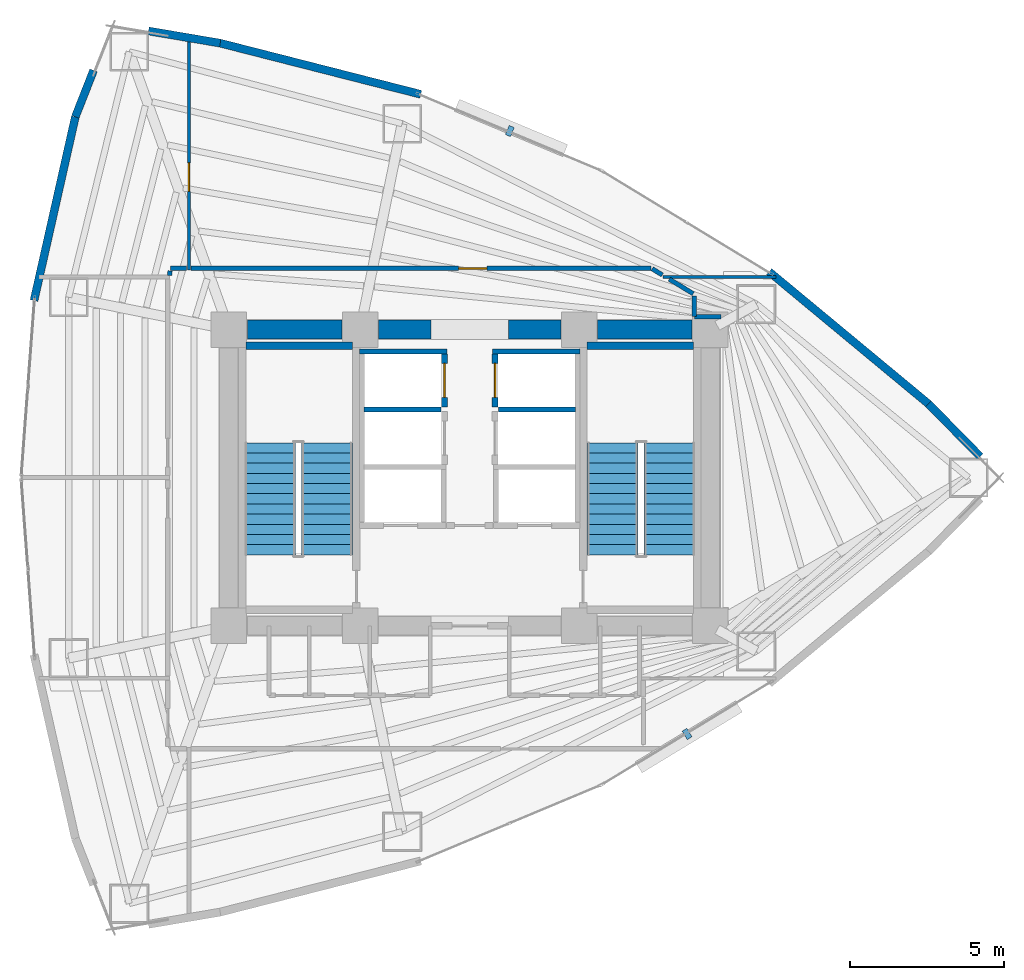
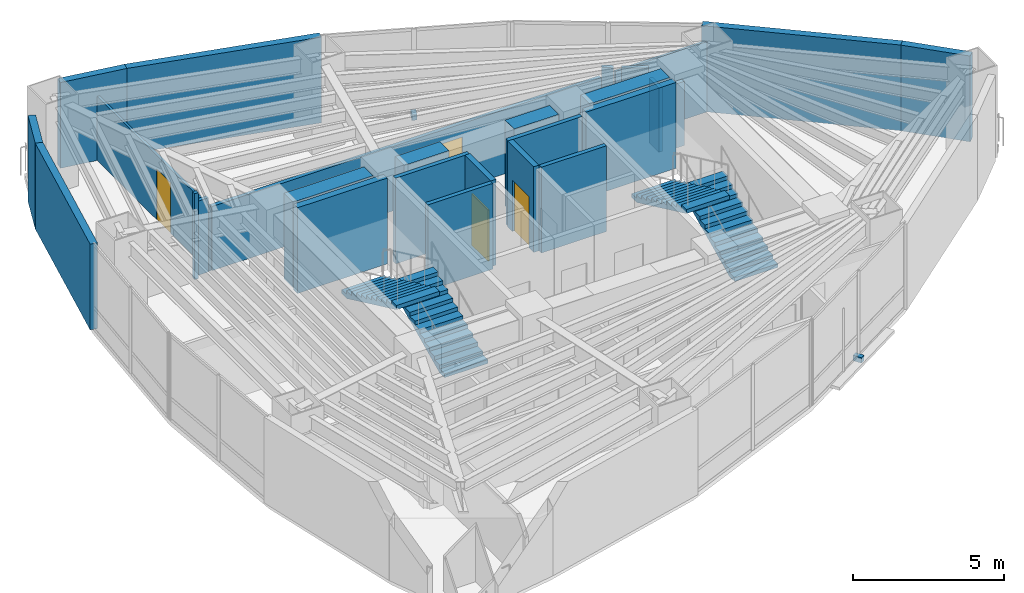
# One storey, part 14 of 16: 27 walls, 4 doors, 4 stair flights, 2 discrete accessories, 4 openings, 2 elements without a shape of their own.
"""IFC4 building model written with IfcOpenShell, lengths in metres."""

from ifc_helpers import new_model, si_unit, direction, frame, frame_2d, origin, origin_2d, place, context, subcontext, project, spatial, polyline, rectangle, outline, extrude, material, layer, layer_set, type_object, element, fill, aggregate, save


model = new_model("IFC4")

# Units and contexts
model_context = context("Model", 3, precision=1e-05, world=origin(), true_north=direction((0.0, 1.0)))
body_context = subcontext(model_context, "Body", "Model", "MODEL_VIEW")
ifc_project = project(units=[si_unit("LENGTHUNIT", "METRE"), si_unit("AREAUNIT", "SQUARE_METRE"), si_unit("VOLUMEUNIT", "CUBIC_METRE"), si_unit("PLANEANGLEUNIT", "RADIAN"), si_unit("MASSUNIT", "GRAM", prefix="KILO")], contexts=[model_context])

# Site, building, storey
site_placement = place(None, origin())
site = spatial("IfcSite", under=ifc_project, at=site_placement, CompositionType="ELEMENT")
building_placement = place(site_placement, origin())
building = spatial("IfcBuilding", under=site, at=building_placement, Name="Menara Vayukalpa", CompositionType="ELEMENT")
storey_placement = place(building_placement, frame((0.0, 0.0, 75.9599609375)))
storey = spatial("IfcBuildingStorey", under=building, at=storey_placement, Name="L18", CompositionType="ELEMENT", Elevation=75.9599609375)

# Walls
ifc_material_1 = material(Name="Concrete C70/85", Category="concrete")
ifc_layer_1 = layer(ifc_material_1, 0.60009765625)
ifc_layer_set_1 = layer_set([ifc_layer_1], Name="Concrete C70/85")
wall_type_1 = type_object("IfcWallType", Name="WAL-CW600", PredefinedType="SHEAR", material=ifc_layer_set_1)
wall_1_placement = place(storey_placement, frame((18.39501953125, 26.800048828125, 0.0), z_axis=(0.0, 0.0, 1.0), x_axis=(1.0, 0.0, 0.0)))
element("IfcWall", 1, at=wall_1_placement, inside=storey, type_object=wall_type_1, Name="L18 Buttressed Core Shear Wall CWN1", PredefinedType="SHEAR", context=body_context, shape_type="SweptSolid", body=[
    extrude(rectangle(XDim=3.06005859375, YDim=0.60009765625, at=frame_2d((1.530029296875, 0.0))), origin(), (0.0, 0.0, 1.0), 3.469970703125),
])
wall_2_placement = place(storey_placement, frame((22.64501953125, 26.800048828125, 0.0), z_axis=(0.0, 0.0, 1.0), x_axis=(1.0, 0.0, 0.0)))
element("IfcWall", 2, at=wall_2_placement, inside=storey, type_object=wall_type_1, Name="L18 Buttressed Core Shear Wall CWN2", PredefinedType="SHEAR", context=body_context, shape_type="SweptSolid", body=[
    extrude(rectangle(XDim=1.705078125, YDim=0.60009765625, at=frame_2d((0.8525390625, 0.0))), origin(), (0.0, 0.0, 1.0), 3.469970703125),
])
wall_3_placement = place(storey_placement, frame((26.85009765625, 26.800048828125, 0.0), z_axis=(0.0, 0.0, 1.0), x_axis=(1.0, 0.0, 0.0)))
element("IfcWall", 3, at=wall_3_placement, inside=storey, type_object=wall_type_1, Name="L18 Buttressed Core Shear Wall CWN3", PredefinedType="SHEAR", context=body_context, shape_type="SweptSolid", body=[
    extrude(rectangle(XDim=1.704833984375, YDim=0.60009765625, at=frame_2d((0.8525390625, 0.0))), origin(), (0.0, 0.0, 1.0), 3.469970703125),
])
wall_4_placement = place(storey_placement, frame((29.7451171875, 26.800048828125, 0.0), z_axis=(0.0, 0.0, 1.0), x_axis=(1.0, 0.0, 0.0)))
element("IfcWall", 4, at=wall_4_placement, inside=storey, type_object=wall_type_1, Name="L18 Buttressed Core Shear Wall CWN4", PredefinedType="SHEAR", context=body_context, shape_type="SweptSolid", body=[
    extrude(rectangle(XDim=3.059814453125, YDim=0.60009765625, at=frame_2d((1.52978515625, 0.0))), origin(), (0.0, 0.0, 1.0), 3.469970703125),
])
ifc_material_2 = material(Name="Insulated Precast Concrete C40/50", Category="concrete")
ifc_layer_2 = layer(ifc_material_2, 0.260009765625)
ifc_layer_set_2 = layer_set([ifc_layer_2], Name="Insulated Precast Concrete C40/50")
wall_type_2 = type_object("IfcWallType", Name="WAL-EXT260", PredefinedType="PARTITIONING", material=ifc_layer_set_2)
wall_5_placement = place(storey_placement, frame((40.46337890625, 24.39208984375, 0.0), z_axis=(0.0, 0.0, 1.0), x_axis=(0.700603293449, -0.713550996922, 0.0)))
element("IfcWall", 5, at=wall_5_placement, inside=storey, type_object=wall_type_2, Name="L18 Perimeter Terracotta Pier Wall 02", PredefinedType="PARTITIONING", context=body_context, shape_type="SweptSolid", body=[
    extrude(rectangle(XDim=2.394775390625, YDim=0.260009765625, at=frame_2d((1.197265625, 0.0))), origin(), (0.0, 0.0, 1.0), 3.469970703125),
])
wall_6_placement = place(storey_placement, frame((35.30126953125, 28.672119140625, 0.0), z_axis=(0.0, 0.0, 1.0), x_axis=(0.76975316947, -0.638341646841, 0.0)))
element("IfcWall", 6, at=wall_6_placement, inside=storey, type_object=wall_type_2, Name="L18 Perimeter Terracotta Pier Wall 03", PredefinedType="PARTITIONING", context=body_context, shape_type="SweptSolid", body=[
    extrude(rectangle(XDim=6.718017578125, YDim=0.260009765625, at=frame_2d((3.35888671875, 0.0))), origin(), (0.0, 0.0, 1.0), 3.469970703125),
])
wall_7_placement = place(storey_placement, frame((17.504638671875, 36.08056640625, 0.0), z_axis=(0.0, 0.0, 1.0), x_axis=(0.968981437296, -0.247133514876, 0.0)))
element("IfcWall", 7, at=wall_7_placement, inside=storey, type_object=wall_type_2, Name="L18 Perimeter Terracotta Pier Wall 06", PredefinedType="PARTITIONING", context=body_context, shape_type="SweptSolid", body=[
    extrude(rectangle(XDim=6.717529296875, YDim=0.260009765625, at=frame_2d((3.35888671875, 0.0))), origin(), (0.0, 0.0, 1.0), 3.469970703125),
])
wall_8_placement = place(storey_placement, frame((15.19287109375, 36.472412109375, 0.0), z_axis=(0.0, 0.0, 1.0), x_axis=(0.985905269947, -0.167304508875, 0.0)))
element("IfcWall", 8, at=wall_8_placement, inside=storey, type_object=wall_type_2, Name="L18 Perimeter Terracotta Pier Wall 07", PredefinedType="PARTITIONING", context=body_context, shape_type="SweptSolid", body=[
    extrude(rectangle(XDim=2.356689453125, YDim=0.260009765625, at=frame_2d((1.17822265625, 0.0))), origin(), (0.0, 0.0, 1.0), 3.469970703125),
])
wall_9_placement = place(storey_placement, frame((12.822021484375, 33.69140625, 0.0), z_axis=(0.0, 0.0, 1.0), x_axis=(0.365488551504, 0.930815835018, 0.0)))
element("IfcWall", 9, at=wall_9_placement, inside=storey, type_object=wall_type_2, Name="L18 Perimeter Terracotta Pier Wall 08", PredefinedType="PARTITIONING", context=body_context, shape_type="SweptSolid", body=[
    extrude(rectangle(XDim=1.61376953125, YDim=0.260009765625, at=frame_2d((0.806884765625, 0.0))), origin(), (0.0, 0.0, 1.0), 3.469970703125),
])
wall_10_placement = place(storey_placement, frame((11.482421875, 27.73828125, 0.0), z_axis=(0.0, 0.0, 1.0), x_axis=(0.219535044336, 0.975604614743, 0.0)))
element("IfcWall", 10, at=wall_10_placement, inside=storey, type_object=wall_type_2, Name="L18 Perimeter Terracotta Pier Wall 09", PredefinedType="PARTITIONING", context=body_context, shape_type="SweptSolid", body=[
    extrude(rectangle(XDim=6.10205078125, YDim=0.260009765625, at=frame_2d((3.051025390625, 0.0))), origin(), (0.0, 0.0, 1.0), 3.469970703125),
])
ifc_material_3 = material(Name="Lightweight Concrete Blockwork C16/20", Category="masonry")
ifc_layer_3 = layer(ifc_material_3, 0.159912109375)
ifc_layer_set_3 = layer_set([ifc_layer_3], Name="Lightweight Concrete Blockwork C16/20")
wall_type_3 = type_object("IfcWallType", Name="WAL-FR150", PredefinedType="PARTITIONING", material=ifc_layer_set_3)
wall_11_placement = place(storey_placement, frame((22.179931640625, 24.215087890625, 0.0), z_axis=(0.0, 0.0, 1.0), x_axis=(1.0, 0.0, 0.0)))
element("IfcWall", 11, at=wall_11_placement, inside=storey, type_object=wall_type_3, Name="L18 Interior Partition IW-L18-SHM-W23", PredefinedType="PARTITIONING", context=body_context, shape_type="SweptSolid", body=[
    extrude(rectangle(XDim=2.489990234375, YDim=0.159912109375, at=frame_2d((1.2451171875, 0.0))), origin(), (0.0, 0.0, 1.0), 3.469970703125),
])
wall_12_placement = place(storey_placement, frame((22.030029296875, 26.0849609375, 0.0), z_axis=(0.0, 0.0, 1.0), x_axis=(1.0, 0.0, 0.0)))
element("IfcWall", 12, at=wall_12_placement, inside=storey, type_object=wall_type_3, Name="L18 Interior Partition IW-L18-SHM-W3N", PredefinedType="PARTITIONING", context=body_context, shape_type="SweptSolid", body=[
    extrude(rectangle(XDim=2.830078125, YDim=0.159912109375, at=frame_2d((1.4150390625, 0.0))), origin(), (0.0, 0.0, 1.0), 3.469970703125),
])
wall_13_placement = place(storey_placement, frame((26.530029296875, 24.215087890625, 0.0), z_axis=(0.0, 0.0, 1.0), x_axis=(1.0, 0.0, 0.0)))
element("IfcWall", 13, at=wall_13_placement, inside=storey, type_object=wall_type_3, Name="L18 Interior Partition IW-L18-SHM-E32", PredefinedType="PARTITIONING", context=body_context, shape_type="SweptSolid", body=[
    extrude(rectangle(XDim=2.489990234375, YDim=0.159912109375, at=frame_2d((1.2451171875, 0.0))), origin(), (0.0, 0.0, 1.0), 3.469970703125),
])
wall_14_placement = place(storey_placement, frame((26.340087890625, 26.0849609375, 0.0), z_axis=(0.0, 0.0, 1.0), x_axis=(1.0, 0.0, 0.0)))
element("IfcWall", 14, at=wall_14_placement, inside=storey, type_object=wall_type_3, Name="L18 Interior Partition IW-L18-SHM-E2N", PredefinedType="PARTITIONING", context=body_context, shape_type="SweptSolid", body=[
    extrude(rectangle(XDim=2.829833984375, YDim=0.159912109375, at=frame_2d((1.4150390625, 0.0))), origin(), (0.0, 0.0, 1.0), 3.469970703125),
])

# Wall, opening, door
ifc_material_4 = material(Name="Lightweight Concrete Blockwork C16/20", Category="masonry")
ifc_layer_4 = layer(ifc_material_4, 0.199951171875)
ifc_layer_set_4 = layer_set([ifc_layer_4], Name="Lightweight Concrete Blockwork C16/20")
wall_type_4 = type_object("IfcWallType", Name="WAL-FR200", PredefinedType="PARTITIONING", material=ifc_layer_set_4)
wall_15_placement = place(storey_placement, frame((24.780029296875, 24.2900390625, 0.0), z_axis=(0.0, 0.0, 1.0), x_axis=(0.0, 1.0, 0.0)))
wall_15 = element("IfcWall", 15, at=wall_15_placement, inside=storey, type_object=wall_type_4, Name="L18 Interior Partition IW-L18-SH-W3", PredefinedType="PARTITIONING", context=body_context, shape_type="SweptSolid", body=[
    extrude(rectangle(XDim=1.719970703125, YDim=0.199951171875, at=frame_2d((0.85986328125, 0.0))), origin(), (0.0, 0.0, 1.0), 3.469970703125),
])
opening_1_placement = place(wall_15_placement, frame((0.31005859375, 0.0, 0.0)))
opening_1 = element("IfcOpeningElement", 16, at=opening_1_placement, cuts=wall_15, Name="Opening LD1", PredefinedType="OPENING", context=body_context, shape_type="SweptSolid", body=[
    extrude(rectangle(XDim=1.10009765625, YDim=2.080078125, at=frame_2d((0.550048828125, 1.0400390625))), frame((0.0, 0.10986328125, 0.0), z_axis=(0.0, -1.0, 0.0), x_axis=(1.0, 0.0, 0.0)), (0.0, 0.0, 1.0), 0.219970703125),
])
ifc_material_5 = material(Name="Brushed Stainless Steel 316 Lift Door", Category="steel")
door_type_1 = type_object("IfcDoorType", Name="DR-LD110", OperationType="NOTDEFINED", PredefinedType="DOOR", material=ifc_material_5)
door_1_placement = place(opening_1_placement, origin())
door_1 = element("IfcDoor", 17, at=door_1_placement, inside=storey, type_object=door_type_1, Name="L18 Interior Door DR-L18-LD-W3", OperationType="DOUBLE_DOOR_SLIDING", OverallHeight=2.080078125, OverallWidth=1.10009765625, PredefinedType="DOOR", context=body_context, shape_type="SweptSolid", body=[
    extrude(rectangle(XDim=1.10009765625, YDim=2.080078125, at=frame_2d((0.550048828125, 1.0400390625))), frame((0.0, 0.02490234375, 0.0), z_axis=(0.0, -1.0, 0.0), x_axis=(1.0, 0.0, 0.0)), (0.0, 0.0, 1.0), 0.050048828125),
])
fill(opening_1, door_1)

wall_16_placement = place(storey_placement, frame((26.419921875, 24.2900390625, 0.0), z_axis=(0.0, 0.0, 1.0), x_axis=(0.0, 1.0, 0.0)))
wall_16 = element("IfcWall", 18, at=wall_16_placement, inside=storey, type_object=wall_type_4, Name="L18 Interior Partition IW-L18-SH-E2", PredefinedType="PARTITIONING", context=body_context, shape_type="SweptSolid", body=[
    extrude(rectangle(XDim=1.719970703125, YDim=0.199951171875, at=frame_2d((0.85986328125, 0.0))), origin(), (0.0, 0.0, 1.0), 3.469970703125),
])
opening_2_placement = place(wall_16_placement, frame((0.31005859375, 0.0, 0.0)))
opening_2 = element("IfcOpeningElement", 19, at=opening_2_placement, cuts=wall_16, Name="Opening LD1", PredefinedType="OPENING", context=body_context, shape_type="SweptSolid", body=[
    extrude(rectangle(XDim=1.10009765625, YDim=2.080078125, at=frame_2d((0.550048828125, 1.0400390625))), frame((0.0, 0.10986328125, 0.0), z_axis=(0.0, -1.0, 0.0), x_axis=(1.0, 0.0, 0.0)), (0.0, 0.0, 1.0), 0.219970703125),
])
door_2_placement = place(opening_2_placement, origin())
door_2 = element("IfcDoor", 20, at=door_2_placement, inside=storey, type_object=door_type_1, Name="L18 Interior Door DR-L18-LD-E2", OperationType="DOUBLE_DOOR_SLIDING", OverallHeight=2.080078125, OverallWidth=1.10009765625, PredefinedType="DOOR", context=body_context, shape_type="SweptSolid", body=[
    extrude(rectangle(XDim=1.10009765625, YDim=2.080078125, at=frame_2d((0.550048828125, 1.0400390625))), frame((0.0, 0.02490234375, 0.0), z_axis=(0.0, -1.0, 0.0), x_axis=(1.0, 0.0, 0.0)), (0.0, 0.0, 1.0), 0.050048828125),
])
fill(opening_2, door_2)

ifc_material_6 = material(Name="Glazed Demountable Office Partition", Category="glass")
ifc_layer_5 = layer(ifc_material_6, 0.094970703125)
ifc_layer_set_5 = layer_set([ifc_layer_5], Name="Glazed Demountable Office Partition")
wall_type_5 = type_object("IfcWallType", Name="WAL-PT100", PredefinedType="PARTITIONING", material=ifc_layer_set_5)
wall_17_placement = place(storey_placement, frame((16.5, 28.72998046875, 0.0), z_axis=(0.0, 0.0, 1.0), x_axis=(0.0, 1.0, 0.0)))
wall_17 = element("IfcWall", 21, at=wall_17_placement, inside=storey, type_object=wall_type_5, Name="L18 Interior Partition IW-L18-RDIV02", PredefinedType="PARTITIONING", context=body_context, shape_type="SweptSolid", body=[
    extrude(rectangle(XDim=7.53076171875, YDim=0.094970703125, at=frame_2d((3.765380859375, 0.0))), origin(), (0.0, 0.0, 1.0), 2.60009765625),
])
opening_3_placement = place(wall_17_placement, frame((2.549072265625, 0.0, 0.0)))
opening_3 = element("IfcOpeningElement", 22, at=opening_3_placement, cuts=wall_17, Name="Opening ID6", PredefinedType="OPENING", context=body_context, shape_type="SweptSolid", body=[
    extrude(rectangle(XDim=0.919921875, YDim=2.050048828125, at=frame_2d((0.4599609375, 1.02490234375))), frame((0.0, 0.057373046875, 0.0), z_axis=(0.0, -1.0, 0.0), x_axis=(1.0, 0.0, 0.0)), (0.0, 0.0, 1.0), 0.114990234375),
])
ifc_material_7 = material(Name="Acoustic Hardwood Veneer Timber Door", Category="wood")
door_type_2 = type_object("IfcDoorType", Name="DR-INT92", OperationType="NOTDEFINED", PredefinedType="DOOR", material=ifc_material_7)
door_3_placement = place(opening_3_placement, origin())
door_3 = element("IfcDoor", 23, at=door_3_placement, inside=storey, type_object=door_type_2, Name="L18 Interior Door DR-L18-STE07", OperationType="SINGLE_SWING_RIGHT", OverallHeight=2.050048828125, OverallWidth=0.919921875, PredefinedType="DOOR", context=body_context, shape_type="SweptSolid", body=[
    extrude(rectangle(XDim=0.919921875, YDim=2.050048828125, at=frame_2d((0.4599609375, 1.02490234375))), frame((0.0, 0.02490234375, 0.0), z_axis=(0.0, -1.0, 0.0), x_axis=(1.0, 0.0, 0.0)), (0.0, 0.0, 1.0), 0.050048828125),
])
fill(opening_3, door_3)

# Walls
wall_18_placement = place(storey_placement, frame((31.855712890625, 28.5, 0.0), z_axis=(0.0, 0.0, 1.0), x_axis=(1.0, 0.0, 0.0)))
element("IfcWall", 24, at=wall_18_placement, inside=storey, type_object=wall_type_5, Name="L18 Interior Partition IW-L18-RDIV06", PredefinedType="PARTITIONING", context=body_context, shape_type="SweptSolid", body=[
    extrude(rectangle(XDim=3.668701171875, YDim=0.094970703125, at=frame_2d((1.83447265625, 0.0))), origin(), (0.0, 0.0, 1.0), 2.85009765625),
])
ifc_material_8 = material(Name="Gypsum Drywall Acoustic Stud Assembly", Category="masonry")
ifc_layer_6 = layer(ifc_material_8, 0.14501953125)
ifc_layer_set_6 = layer_set([ifc_layer_6], Name="Gypsum Drywall Acoustic Stud Assembly")
wall_type_6 = type_object("IfcWallType", Name="WAL-PT150", PredefinedType="PARTITIONING", material=ifc_layer_set_6)
wall_19_placement = place(storey_placement, frame((33.739990234375, 27.219970703125, 0.0), z_axis=(0.0, 0.0, 1.0), x_axis=(-1.0, 0.0, 0.0)))
element("IfcWall", 25, at=wall_19_placement, inside=storey, type_object=wall_type_6, Name="L18 Interior Partition IW-L18-CRM05-1", PredefinedType="PARTITIONING", context=body_context, shape_type="SweptSolid", body=[
    extrude(rectangle(XDim=0.860107421875, YDim=0.14501953125, at=frame_2d((0.43017578125, 0.0))), origin(), (0.0, 0.0, 1.0), 2.60009765625),
])
wall_20_placement = place(storey_placement, frame((32.8798828125, 27.219970703125, 0.0), z_axis=(0.0, 0.0, 1.0), x_axis=(0.0, 1.0, 0.0)))
element("IfcWall", 26, at=wall_20_placement, inside=storey, type_object=wall_type_6, Name="L18 Interior Partition IW-L18-CRM05-2", PredefinedType="PARTITIONING", context=body_context, shape_type="SweptSolid", body=[
    extrude(rectangle(XDim=0.671142578125, YDim=0.14501953125, at=frame_2d((0.33544921875, 0.0))), origin(), (0.0, 0.0, 1.0), 2.60009765625),
])
wall_21_placement = place(storey_placement, frame((32.841552734375, 27.959716796875, 0.0), z_axis=(0.0, 0.0, 1.0), x_axis=(-0.854770437211, 0.519006261686, 0.0)))
element("IfcWall", 27, at=wall_21_placement, inside=storey, type_object=wall_type_6, Name="L18 Interior Partition IW-L18-CRM05-3", PredefinedType="PARTITIONING", context=body_context, shape_type="SweptSolid", body=[
    extrude(rectangle(XDim=0.906005859375, YDim=0.14501953125, at=frame_2d((0.453125, 0.0))), origin(), (0.0, 0.0, 1.0), 3.0),
])
wall_22_placement = place(storey_placement, frame((31.83984375, 28.568115234375, 0.0), z_axis=(0.0, 0.0, 1.0), x_axis=(-0.854857682939, 0.518862546269, 0.0)))
element("IfcWall", 28, at=wall_22_placement, inside=storey, type_object=wall_type_6, Name="L18 Interior Partition IW-L18-CRM06-1", PredefinedType="PARTITIONING", context=body_context, shape_type="SweptSolid", body=[
    extrude(rectangle(XDim=0.3857421875, YDim=0.14501953125, at=frame_2d((0.19287109375, 0.0))), origin(), (0.0, 0.0, 1.0), 3.0),
])

# Wall, opening, door
wall_23_placement = place(storey_placement, frame((31.468505859375, 28.780029296875, 0.0), z_axis=(0.0, 0.0, 1.0), x_axis=(-1.0, 0.0, 0.0)))
wall_23 = element("IfcWall", 29, at=wall_23_placement, inside=storey, type_object=wall_type_6, Name="L18 Interior Partition IW-L18-CRM06-2", PredefinedType="PARTITIONING", context=body_context, shape_type="SweptSolid", body=[
    extrude(rectangle(XDim=14.8984375, YDim=0.14501953125, at=frame_2d((7.44921875, 0.0))), origin(), (0.0, 0.0, 1.0), 2.60009765625),
])
opening_4_placement = place(wall_23_placement, frame((5.31201171875, 0.0, 0.0)))
opening_4 = element("IfcOpeningElement", 30, at=opening_4_placement, cuts=wall_23, Name="Opening ID6", PredefinedType="OPENING", context=body_context, shape_type="SweptSolid", body=[
    extrude(rectangle(XDim=0.919921875, YDim=2.050048828125, at=frame_2d((0.4599609375, 1.02490234375))), frame((0.0, 0.08251953125, 0.0), z_axis=(0.0, -1.0, 0.0), x_axis=(1.0, 0.0, 0.0)), (0.0, 0.0, 1.0), 0.1650390625),
])
door_4_placement = place(opening_4_placement, origin())
door_4 = element("IfcDoor", 31, at=door_4_placement, inside=storey, type_object=door_type_2, Name="L18 Interior Door DR-L18-RM06", OperationType="SINGLE_SWING_RIGHT", OverallHeight=2.050048828125, OverallWidth=0.919921875, PredefinedType="DOOR", context=body_context, shape_type="SweptSolid", body=[
    extrude(rectangle(XDim=0.919921875, YDim=2.050048828125, at=frame_2d((0.4599609375, 1.02490234375))), frame((0.0, 0.02490234375, 0.0), z_axis=(0.0, -1.0, 0.0), x_axis=(1.0, 0.0, 0.0)), (0.0, 0.0, 1.0), 0.050048828125),
])
fill(opening_4, door_4)

# Walls
wall_24_placement = place(storey_placement, frame((16.429931640625, 28.780029296875, 0.0), z_axis=(0.0, 0.0, 1.0), x_axis=(-1.0, 0.0, 0.0)))
element("IfcWall", 32, at=wall_24_placement, inside=storey, type_object=wall_type_6, Name="L18 Interior Partition IW-L18-CRM07-1", PredefinedType="PARTITIONING", context=body_context, shape_type="SweptSolid", body=[
    extrude(rectangle(XDim=0.530029296875, YDim=0.14501953125, at=frame_2d((0.26513671875, 0.0))), origin(), (0.0, 0.0, 1.0), 3.0),
])
wall_25_placement = place(storey_placement, frame((15.8916015625, 28.700439453125, 0.0), z_axis=(0.0, 0.0, 1.0), x_axis=(-0.107955324157, -0.994155746343, 0.0)))
element("IfcWall", 33, at=wall_25_placement, inside=storey, type_object=wall_type_6, Name="L18 Interior Partition IW-L18-CRM07-1-R1", PredefinedType="PARTITIONING", context=body_context, shape_type="SweptSolid", body=[
    extrude(rectangle(XDim=0.151611328125, YDim=0.14501953125, at=frame_2d((0.07568359375, 0.0))), origin(), (0.0, 0.0, 1.0), 3.469970703125),
])
ifc_material_9 = material(Name="Concrete C50/60", Category="concrete")
ifc_layer_7 = layer(ifc_material_9, 0.25)
ifc_layer_set_7 = layer_set([ifc_layer_7], Name="Concrete C50/60")
wall_type_7 = type_object("IfcWallType", Name="WAL-SW250", PredefinedType="SHEAR", material=ifc_layer_set_7)
for number, where, z_axis, x_axis, name in (
    (34, (18.35400390625, 26.27490234375, 0.0), (0.0, 0.0, 1.0), (1.0, 0.0, 0.0), "L18 ST1 Structural Stair Shaft Wall N"),
    (35, (29.39990234375, 26.27490234375, 0.0), (0.0, 0.0, 1.0), (1.0, 0.0, 0.0), "L18 ST2 Structural Stair Shaft Wall N"),
):
    element("IfcWall", number, at=place(storey_placement, frame(where, z_axis=z_axis, x_axis=x_axis)), inside=storey, type_object=wall_type_7, Name=name, PredefinedType="SHEAR", context=body_context, shape_type="SweptSolid", body=[
        extrude(rectangle(XDim=3.446044921875, YDim=0.25, at=frame_2d((1.72314453125, 0.0))), origin(), (0.0, 0.0, 1.0), 3.469970703125),
    ])

# Stair, stair flights
ifc_material_10 = material(Name="Precast Concrete C40/50", Category="concrete")
stair_type = type_object("IfcStairType", Name="STR-T04", PredefinedType="DOUBLE_RETURN_STAIR", material=ifc_material_10)
stair_1_placement = place(storey_placement, origin())
stair_1 = element("IfcStair", 36, at=stair_1_placement, inside=storey, type_object=stair_type, Name="L18 Core Exit Stair ST-1", PredefinedType="DOUBLE_RETURN_STAIR")
ifc_material_11 = material(Name="Precast Concrete C40/50", Category="concrete")
stair_flight_type = type_object("IfcStairFlightType", Name="STF-T04", PredefinedType="STRAIGHT", material=ifc_material_11)
stair_flight_1_placement = place(storey_placement, frame((20.97509765625, 19.5, 0.0), z_axis=(0.0, 0.0, 1.0), x_axis=(0.0, 1.0, 0.0)))
stair_flight_1 = element("IfcStairFlight", 37, at=stair_flight_1_placement, type_object=stair_flight_type, Name="ST-1 flight 1", NumberOfRisers=12, NumberOfTreads=11, PredefinedType="STRAIGHT", RiserHeight=0.155, TreadLength=0.33, context=body_context, shape_type="SweptSolid", body=[
    extrude(outline(polyline([(0.0, 0.0), (0.0, 0.155029296875), (0.330078125, 0.155029296875), (0.330078125, 0.31005859375), (0.659912109375, 0.31005859375), (0.659912109375, 0.465087890625), (0.989990234375, 0.465087890625), (0.989990234375, 0.6201171875), (1.320068359375, 0.6201171875), (1.320068359375, 0.77490234375), (1.64990234375, 0.77490234375), (1.64990234375, 0.929931640625), (1.97998046875, 0.929931640625), (1.97998046875, 1.0849609375), (2.31005859375, 1.0849609375), (2.31005859375, 1.239990234375), (2.639892578125, 1.239990234375), (2.639892578125, 1.39501953125), (2.969970703125, 1.39501953125), (2.969970703125, 1.550048828125), (3.300048828125, 1.550048828125), (3.300048828125, 1.705078125), (3.6298828125, 1.705078125), (3.6298828125, 1.860107421875), (3.6298828125, 1.539306640625), (0.3525390625, 0.0), (0.0, 0.0)])), frame((0.0, 0.824951171875, 0.0), z_axis=(0.0, -1.0, 0.0), x_axis=(1.0, 0.0, 0.0)), (0.0, 0.0, 1.0), 1.64990234375),
])
stair_flight_2_placement = place(storey_placement, frame((19.125, 23.1298828125, 1.860107421875), z_axis=(0.0, 0.0, 1.0), x_axis=(0.0, -1.0, 0.0)))
stair_flight_2 = element("IfcStairFlight", 38, at=stair_flight_2_placement, type_object=stair_flight_type, Name="ST-1 flight 2", NumberOfRisers=12, NumberOfTreads=11, PredefinedType="STRAIGHT", RiserHeight=0.155, TreadLength=0.33, context=body_context, shape_type="SweptSolid", body=[
    extrude(outline(polyline([(0.0, 0.0), (0.0, 0.155029296875), (0.330078125, 0.155029296875), (0.330078125, 0.31005859375), (0.659912109375, 0.31005859375), (0.659912109375, 0.465087890625), (0.989990234375, 0.465087890625), (0.989990234375, 0.6201171875), (1.320068359375, 0.6201171875), (1.320068359375, 0.77490234375), (1.64990234375, 0.77490234375), (1.64990234375, 0.929931640625), (1.97998046875, 0.929931640625), (1.97998046875, 1.0849609375), (2.31005859375, 1.0849609375), (2.31005859375, 1.239990234375), (2.639892578125, 1.239990234375), (2.639892578125, 1.39501953125), (2.969970703125, 1.39501953125), (2.969970703125, 1.550048828125), (3.300048828125, 1.550048828125), (3.300048828125, 1.705078125), (3.6298828125, 1.705078125), (3.6298828125, 1.860107421875), (3.6298828125, 1.539306640625), (0.3525390625, 0.0), (0.0, 0.0)])), frame((0.0, 0.824951171875, 0.0), z_axis=(0.0, -1.0, 0.0), x_axis=(1.0, 0.0, 0.0)), (0.0, 0.0, 1.0), 1.64990234375),
])
aggregate(stair_1, [stair_flight_1, stair_flight_2])

stair_2_placement = place(storey_placement, origin())
stair_2 = element("IfcStair", 39, at=stair_2_placement, inside=storey, type_object=stair_type, Name="L18 Core Exit Stair ST-2", PredefinedType="DOUBLE_RETURN_STAIR")
stair_flight_3_placement = place(storey_placement, frame((32.074951171875, 19.5, 0.0), z_axis=(0.0, 0.0, 1.0), x_axis=(0.0, 1.0, 0.0)))
stair_flight_3 = element("IfcStairFlight", 40, at=stair_flight_3_placement, type_object=stair_flight_type, Name="ST-2 flight 1", NumberOfRisers=12, NumberOfTreads=11, PredefinedType="STRAIGHT", RiserHeight=0.155, TreadLength=0.33, context=body_context, shape_type="SweptSolid", body=[
    extrude(outline(polyline([(0.0, 0.0), (0.0, 0.155029296875), (0.330078125, 0.155029296875), (0.330078125, 0.31005859375), (0.659912109375, 0.31005859375), (0.659912109375, 0.465087890625), (0.989990234375, 0.465087890625), (0.989990234375, 0.6201171875), (1.320068359375, 0.6201171875), (1.320068359375, 0.77490234375), (1.64990234375, 0.77490234375), (1.64990234375, 0.929931640625), (1.97998046875, 0.929931640625), (1.97998046875, 1.0849609375), (2.31005859375, 1.0849609375), (2.31005859375, 1.239990234375), (2.639892578125, 1.239990234375), (2.639892578125, 1.39501953125), (2.969970703125, 1.39501953125), (2.969970703125, 1.550048828125), (3.300048828125, 1.550048828125), (3.300048828125, 1.705078125), (3.6298828125, 1.705078125), (3.6298828125, 1.860107421875), (3.6298828125, 1.539306640625), (0.3525390625, 0.0), (0.0, 0.0)])), frame((0.0, 0.824951171875, 0.0), z_axis=(0.0, -1.0, 0.0), x_axis=(1.0, 0.0, 0.0)), (0.0, 0.0, 1.0), 1.64990234375),
])
stair_flight_4_placement = place(storey_placement, frame((30.22509765625, 23.1298828125, 1.860107421875), z_axis=(0.0, 0.0, 1.0), x_axis=(0.0, -1.0, 0.0)))
stair_flight_4 = element("IfcStairFlight", 41, at=stair_flight_4_placement, type_object=stair_flight_type, Name="ST-2 flight 2", NumberOfRisers=12, NumberOfTreads=11, PredefinedType="STRAIGHT", RiserHeight=0.155, TreadLength=0.33, context=body_context, shape_type="SweptSolid", body=[
    extrude(outline(polyline([(0.0, 0.0), (0.0, 0.155029296875), (0.330078125, 0.155029296875), (0.330078125, 0.31005859375), (0.659912109375, 0.31005859375), (0.659912109375, 0.465087890625), (0.989990234375, 0.465087890625), (0.989990234375, 0.6201171875), (1.320068359375, 0.6201171875), (1.320068359375, 0.77490234375), (1.64990234375, 0.77490234375), (1.64990234375, 0.929931640625), (1.97998046875, 0.929931640625), (1.97998046875, 1.0849609375), (2.31005859375, 1.0849609375), (2.31005859375, 1.239990234375), (2.639892578125, 1.239990234375), (2.639892578125, 1.39501953125), (2.969970703125, 1.39501953125), (2.969970703125, 1.550048828125), (3.300048828125, 1.550048828125), (3.300048828125, 1.705078125), (3.6298828125, 1.705078125), (3.6298828125, 1.860107421875), (3.6298828125, 1.539306640625), (0.3525390625, 0.0), (0.0, 0.0)])), frame((0.0, 0.824951171875, 0.0), z_axis=(0.0, -1.0, 0.0), x_axis=(1.0, 0.0, 0.0)), (0.0, 0.0, 1.0), 1.64990234375),
])
aggregate(stair_2, [stair_flight_3, stair_flight_4])

# Discrete accessories
ifc_material_12 = material(Name="Stainless Steel 316 Sunshade Bracket", Category="steel")
discrete_accessory_type = type_object("IfcDiscreteAccessoryType", Name="ACC-BRK1", PredefinedType="BRACKET", material=ifc_material_12)
for number, where, z_axis, x_axis, name in (
    (42, (26.898193359375, 33.22900390625, -0.16015625), (0.0, 0.0, 1.0), (-0.922544824647, 0.385889940938, 0.0), "L18 Terracotta Sunshade Bracket 05"),
    (43, (32.6416015625, 13.69580078125, -0.16015625), (0.0, 0.0, 1.0), (0.85466730962, 0.519176068272, 0.0), "L18 Terracotta Sunshade Bracket 17"),
):
    element("IfcDiscreteAccessory", number, at=place(storey_placement, frame(where, z_axis=z_axis, x_axis=x_axis)), inside=storey, type_object=discrete_accessory_type, Name=name, PredefinedType="BRACKET", context=body_context, shape_type="SweptSolid", body=[
        extrude(rectangle(XDim=0.179931640625, YDim=0.320068359375, at=origin_2d()), origin(), (0.0, 0.0, 1.0), 0.219970703125),
    ])

save(model, "model.ifc")
